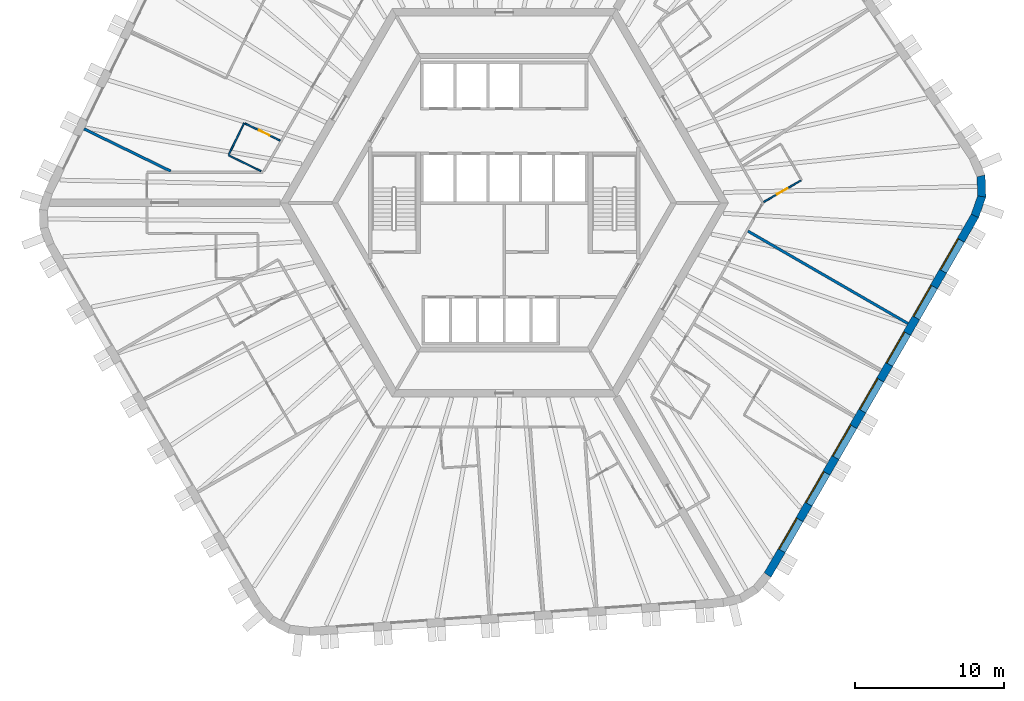
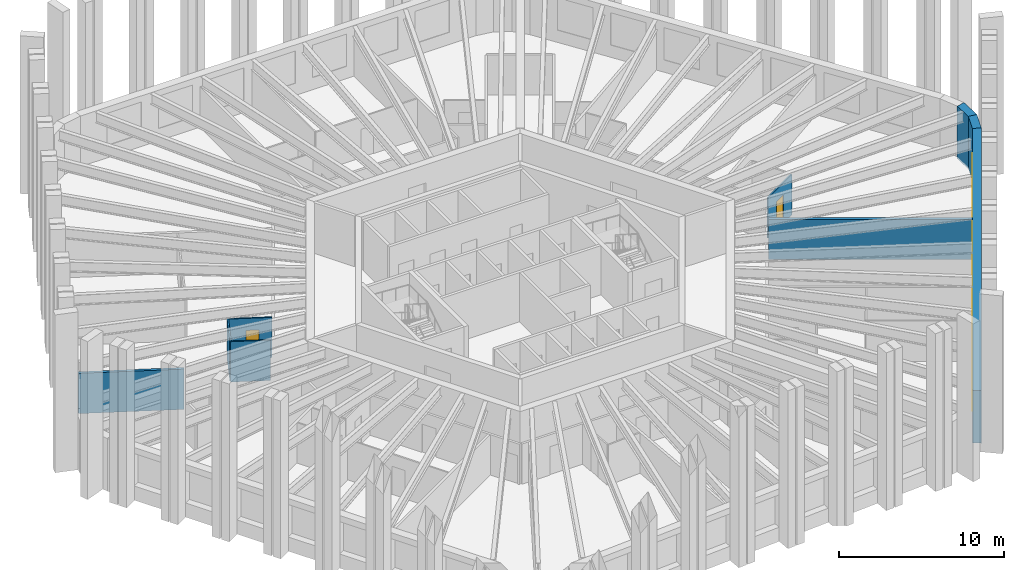
# One storey, part 6 of 10: 9 walls, 7 windows, 2 doors, 9 openings.
"""IFC4 building model written with IfcOpenShell, lengths in metres."""

from ifc_helpers import new_model, si_unit, direction, frame, frame_2d, origin, place, context, subcontext, project, spatial, polyline, rectangle, outline, extrude, material, layer, layer_set, type_object, element, fill, save


model = new_model("IFC4")

# Units and contexts
model_context = context("Model", 3, precision=1e-05, world=origin(), true_north=direction((0.0, 1.0)))
body_context = subcontext(model_context, "Body", "Model", "MODEL_VIEW")
ifc_project = project(units=[si_unit("LENGTHUNIT", "METRE"), si_unit("AREAUNIT", "SQUARE_METRE"), si_unit("VOLUMEUNIT", "CUBIC_METRE"), si_unit("PLANEANGLEUNIT", "RADIAN"), si_unit("MASSUNIT", "GRAM", prefix="KILO")], contexts=[model_context])

# Site, building, storey
site_placement = place(None, origin())
site = spatial("IfcSite", under=ifc_project, at=site_placement, CompositionType="ELEMENT")
building_placement = place(site_placement, origin())
building = spatial("IfcBuilding", under=site, at=building_placement, Name="Tarnside Tower", CompositionType="ELEMENT")
storey_placement = place(building_placement, frame((0.0, 0.0, 195.60009765625)))
storey = spatial("IfcBuildingStorey", under=building, at=storey_placement, Name="L46", CompositionType="ELEMENT", Elevation=195.60009765625)

# Walls
ifc_material_1 = material(Name="Gypsum board partition on steel studs", Category="steel")
ifc_layer_1 = layer(ifc_material_1, 0.10009765625)
ifc_layer_set_1 = layer_set([ifc_layer_1], Name="Bathroom wall 100")
wall_type_1 = type_object("IfcWallType", Name="Bathroom wall 100", PredefinedType="PARTITIONING", material=ifc_layer_set_1)
wall_1_placement = place(storey_placement, frame((-16.290771484375, 2.125, 0.0), z_axis=(0.0, 0.0, 1.0), x_axis=(-0.898785911157, 0.438387825909, 0.0)))
element("IfcWall", 1, at=wall_1_placement, inside=storey, type_object=wall_type_1, Name="Bathroom wall 15065", PredefinedType="PARTITIONING", context=body_context, shape_type="SweptSolid", body=[
    extrude(rectangle(XDim=2.41796875, YDim=0.10009765625, at=frame_2d((1.208984375, 0.0))), origin(), (0.0, 0.0, 1.0), 2.98779296875),
])
wall_2_placement = place(storey_placement, frame((-18.442138671875, 3.22998046875, 0.0), z_axis=(0.0, 0.0, 1.0), x_axis=(0.438339704034, 0.898809381275, 0.0)))
element("IfcWall", 2, at=wall_2_placement, inside=storey, type_object=wall_type_1, Name="Bathroom wall 15066", PredefinedType="PARTITIONING", context=body_context, shape_type="SweptSolid", body=[
    extrude(rectangle(XDim=2.349853515625, YDim=0.10009765625, at=frame_2d((1.1748046875, 0.0))), origin(), (0.0, 0.0, 1.0), 2.98779296875),
])

# Wall, opening, door
wall_3_placement = place(storey_placement, frame((-17.3671875, 5.3203125, 0.0), z_axis=(0.0, 0.0, 1.0), x_axis=(0.898798752769, -0.438361496965, 0.0)))
wall_3 = element("IfcWall", 3, at=wall_3_placement, inside=storey, type_object=wall_type_1, Name="Bathroom wall 15067", PredefinedType="PARTITIONING", context=body_context, shape_type="SweptSolid", body=[
    extrude(rectangle(XDim=2.632080078125, YDim=0.10009765625, at=frame_2d((1.31591796875, 0.0))), origin(), (0.0, 0.0, 1.0), 2.98779296875),
])
opening_1_placement = place(wall_3_placement, frame((1.050048828125, 0.0, 0.0)))
opening_1 = element("IfcOpeningElement", 4, at=opening_1_placement, cuts=wall_3, Name="Opening D-B1", PredefinedType="OPENING", context=body_context, shape_type="SweptSolid", body=[
    extrude(rectangle(XDim=0.800048828125, YDim=2.10009765625, at=frame_2d((0.39990234375, 1.050048828125))), frame((0.0, 0.06005859375, 0.0), z_axis=(0.0, -1.0, 0.0), x_axis=(1.0, 0.0, 0.0)), (0.0, 0.0, 1.0), 0.1201171875),
])
ifc_material_2 = material(Name="Timber door leaf", Category="wood")
door_type = type_object("IfcDoorType", Name="Bathroom door 800", OperationType="NOTDEFINED", PredefinedType="DOOR", material=ifc_material_2)
door_1_placement = place(opening_1_placement, origin())
door_1 = element("IfcDoor", 5, at=door_1_placement, inside=storey, type_object=door_type, Name="Bathroom door 15009", OperationType="SINGLE_SWING_LEFT", OverallHeight=2.10009765625, OverallWidth=0.800048828125, PredefinedType="DOOR", context=body_context, shape_type="SweptSolid", body=[
    extrude(rectangle(XDim=0.800048828125, YDim=2.10009765625, at=frame_2d((0.39990234375, 1.050048828125))), frame((0.0, 0.02490234375, 0.0), z_axis=(0.0, -1.0, 0.0), x_axis=(1.0, 0.0, 0.0)), (0.0, 0.0, 1.0), 0.050048828125),
])
fill(opening_1, door_1)

wall_4_placement = place(storey_placement, frame((19.862548828125, 1.496826171875, 0.0), z_axis=(0.0, 0.0, 1.0), x_axis=(-0.866018712932, -0.500011588718, 0.0)))
wall_4 = element("IfcWall", 6, at=wall_4_placement, inside=storey, type_object=wall_type_1, Name="Bathroom wall 15105", PredefinedType="PARTITIONING", context=body_context, shape_type="SweptSolid", body=[
    extrude(rectangle(XDim=2.875, YDim=0.10009765625, at=frame_2d((1.4375, 0.0))), origin(), (0.0, 0.0, 1.0), 2.98779296875),
])
opening_2_placement = place(wall_4_placement, frame((1.050048828125, 0.0, 0.0)))
opening_2 = element("IfcOpeningElement", 7, at=opening_2_placement, cuts=wall_4, Name="Opening D-B1", PredefinedType="OPENING", context=body_context, shape_type="SweptSolid", body=[
    extrude(rectangle(XDim=0.800048828125, YDim=2.10009765625, at=frame_2d((0.39990234375, 1.050048828125))), frame((0.0, 0.06005859375, 0.0), z_axis=(0.0, -1.0, 0.0), x_axis=(1.0, 0.0, 0.0)), (0.0, 0.0, 1.0), 0.1201171875),
])
door_2_placement = place(opening_2_placement, origin())
door_2 = element("IfcDoor", 8, at=door_2_placement, inside=storey, type_object=door_type, Name="Bathroom door 15031", OperationType="SINGLE_SWING_RIGHT", OverallHeight=2.10009765625, OverallWidth=0.800048828125, PredefinedType="DOOR", context=body_context, shape_type="SweptSolid", body=[
    extrude(rectangle(XDim=0.800048828125, YDim=2.10009765625, at=frame_2d((0.39990234375, 1.050048828125))), frame((0.0, 0.02490234375, 0.0), z_axis=(0.0, -1.0, 0.0), x_axis=(1.0, 0.0, 0.0)), (0.0, 0.0, 1.0), 0.050048828125),
])
fill(opening_2, door_2)

# Walls
ifc_layer_2 = layer(ifc_material_1, 0.179931640625)
ifc_layer_set_2 = layer_set([ifc_layer_2], Name="Demising wall 180 EI 60")
wall_type_2 = type_object("IfcWallType", Name="Demising wall 180 EI 60", PredefinedType="PARTITIONING", material=ifc_layer_set_2)
wall_5_placement = place(storey_placement, frame((-28.127197265625, 4.948974609375, 0.0), z_axis=(0.0, 0.0, 1.0), x_axis=(0.898795032868, -0.438369124017, 0.0)))
element("IfcWall", 9, at=wall_5_placement, inside=storey, type_object=wall_type_2, Name="Demising wall 15070", PredefinedType="PARTITIONING", context=body_context, shape_type="SweptSolid", body=[
    extrude(rectangle(XDim=6.44189453125, YDim=0.179931640625, at=frame_2d((3.220947265625, 0.0))), origin(), (0.0, 0.0, 1.0), 2.98779296875),
])
wall_6_placement = place(storey_placement, frame((27.03125, -8.080322265625, 0.0), z_axis=(0.0, 0.0, 1.0), x_axis=(-0.866024931941, 0.500000817256, 0.0)))
element("IfcWall", 10, at=wall_6_placement, inside=storey, type_object=wall_type_2, Name="Demising wall 15102", PredefinedType="PARTITIONING", context=body_context, shape_type="SweptSolid", body=[
    extrude(rectangle(XDim=12.375, YDim=0.179931640625, at=frame_2d((6.1875, 0.0))), origin(), (0.0, 0.0, 1.0), 2.98779296875),
])

# Wall, openings, windows
ifc_material_3 = material(Name="Facing brick", Category="masonry")
ifc_layer_3 = layer(ifc_material_3, 0.10205078125)
ifc_material_4 = material(Name="Concrete C60/75 precast", Category="concrete")
ifc_layer_4 = layer(ifc_material_4, 0.347900390625)
ifc_material_5 = material(Name="Mineral wool insulation")
ifc_layer_5 = layer(ifc_material_5, 0.10009765625)
ifc_layer_set_3 = layer_set([ifc_layer_3, ifc_layer_4, ifc_layer_5], Name="Tube wall 550 brick faced")
wall_type_3 = type_object("IfcWallType", Name="Tube wall 550 brick faced", PredefinedType="SOLIDWALL", material=ifc_layer_set_3)
wall_7_placement = place(storey_placement, frame((17.630126953125, -24.913818359375, -0.150146484375), z_axis=(0.0, 0.0, 1.0), x_axis=(0.499998569178, 0.866026229868, 0.0)))
wall_7 = element("IfcWall", 11, at=wall_7_placement, inside=storey, type_object=wall_type_3, Name="Tube wall L46 F5 flush 16", PredefinedType="SOLIDWALL", context=body_context, shape_type="SweptSolid", body=[
    extrude(outline(polyline([(-0.0224609375, -0.27490234375), (27.783447265625, -0.27490234375), (27.732177734375, 0.27490234375), (0.0224609375, 0.27490234375), (-0.0224609375, -0.27490234375)])), origin(), (0.0, 0.0, 1.0), 3.900146484375),
])
opening_3_placement = place(wall_7_placement, frame((1.87890625, 0.0, 1.050048828125)))
opening_3 = element("IfcOpeningElement", 12, at=opening_3_placement, cuts=wall_7, Name="Opening WH", PredefinedType="OPENING", context=body_context, shape_type="SweptSolid", body=[
    extrude(rectangle(XDim=2.39990234375, YDim=2.39990234375, at=frame_2d((1.199951171875, 1.199951171875))), frame((0.0, 0.28515625, 0.0), z_axis=(0.0, -1.0, 0.0), x_axis=(1.0, 0.0, 0.0)), (0.0, 0.0, 1.0), 0.570068359375),
])
opening_4_placement = place(wall_7_placement, frame((5.47900390625, 0.0, 1.050048828125)))
opening_4 = element("IfcOpeningElement", 13, at=opening_4_placement, cuts=wall_7, Name="Opening WH", PredefinedType="OPENING", context=body_context, shape_type="SweptSolid", body=[
    extrude(rectangle(XDim=2.39990234375, YDim=2.39990234375, at=frame_2d((1.199951171875, 1.199951171875))), frame((0.0, 0.28515625, 0.0), z_axis=(0.0, -1.0, 0.0), x_axis=(1.0, 0.0, 0.0)), (0.0, 0.0, 1.0), 0.570068359375),
])
opening_5_placement = place(wall_7_placement, frame((9.078857421875, 0.0, 1.050048828125)))
opening_5 = element("IfcOpeningElement", 14, at=opening_5_placement, cuts=wall_7, Name="Opening WH", PredefinedType="OPENING", context=body_context, shape_type="SweptSolid", body=[
    extrude(rectangle(XDim=2.39990234375, YDim=2.39990234375, at=frame_2d((1.199951171875, 1.199951171875))), frame((0.0, 0.28515625, 0.0), z_axis=(0.0, -1.0, 0.0), x_axis=(1.0, 0.0, 0.0)), (0.0, 0.0, 1.0), 0.570068359375),
])
opening_6_placement = place(wall_7_placement, frame((12.678955078125, 0.0, 1.050048828125)))
opening_6 = element("IfcOpeningElement", 15, at=opening_6_placement, cuts=wall_7, Name="Opening WH", PredefinedType="OPENING", context=body_context, shape_type="SweptSolid", body=[
    extrude(rectangle(XDim=2.39990234375, YDim=2.39990234375, at=frame_2d((1.199951171875, 1.199951171875))), frame((0.0, 0.28515625, 0.0), z_axis=(0.0, -1.0, 0.0), x_axis=(1.0, 0.0, 0.0)), (0.0, 0.0, 1.0), 0.570068359375),
])
opening_7_placement = place(wall_7_placement, frame((16.27880859375, 0.0, 1.050048828125)))
opening_7 = element("IfcOpeningElement", 16, at=opening_7_placement, cuts=wall_7, Name="Opening WH", PredefinedType="OPENING", context=body_context, shape_type="SweptSolid", body=[
    extrude(rectangle(XDim=2.39990234375, YDim=2.39990234375, at=frame_2d((1.199951171875, 1.199951171875))), frame((0.0, 0.28515625, 0.0), z_axis=(0.0, -1.0, 0.0), x_axis=(1.0, 0.0, 0.0)), (0.0, 0.0, 1.0), 0.570068359375),
])
opening_8_placement = place(wall_7_placement, frame((19.87890625, 0.0, 1.050048828125)))
opening_8 = element("IfcOpeningElement", 17, at=opening_8_placement, cuts=wall_7, Name="Opening WH", PredefinedType="OPENING", context=body_context, shape_type="SweptSolid", body=[
    extrude(rectangle(XDim=2.39990234375, YDim=2.39990234375, at=frame_2d((1.199951171875, 1.199951171875))), frame((0.0, 0.28515625, 0.0), z_axis=(0.0, -1.0, 0.0), x_axis=(1.0, 0.0, 0.0)), (0.0, 0.0, 1.0), 0.570068359375),
])
opening_9_placement = place(wall_7_placement, frame((23.47900390625, 0.0, 1.050048828125)))
opening_9 = element("IfcOpeningElement", 18, at=opening_9_placement, cuts=wall_7, Name="Opening WH", PredefinedType="OPENING", context=body_context, shape_type="SweptSolid", body=[
    extrude(rectangle(XDim=2.39990234375, YDim=2.39990234375, at=frame_2d((1.199951171875, 1.199951171875))), frame((0.0, 0.28515625, 0.0), z_axis=(0.0, -1.0, 0.0), x_axis=(1.0, 0.0, 0.0)), (0.0, 0.0, 1.0), 0.570068359375),
])
ifc_material_6 = material(Name="Aluminium-framed double glazing", Category="aluminium")
window_type = type_object("IfcWindowType", Name="Hotel window 2400 x 2400", PartitioningType="DOUBLE_PANEL_VERTICAL", PredefinedType="WINDOW", material=ifc_material_6)
window_1_placement = place(opening_3_placement, frame((0.0, 0.205078125, 0.0)))
window_1 = element("IfcWindow", 19, at=window_1_placement, inside=storey, type_object=window_type, Name="E.WN.L46.F5.00", OverallHeight=2.39990234375, OverallWidth=2.39990234375, PartitioningType="DOUBLE_PANEL_VERTICAL", PredefinedType="WINDOW", context=body_context, shape_type="SweptSolid", body=[
    extrude(rectangle(XDim=2.39990234375, YDim=2.39990234375, at=frame_2d((1.199951171875, 1.199951171875))), frame((0.0, 0.030029296875, 0.0), z_axis=(0.0, -1.0, 0.0), x_axis=(1.0, 0.0, 0.0)), (0.0, 0.0, 1.0), 0.06005859375),
])
fill(opening_3, window_1)
window_2_placement = place(opening_4_placement, frame((0.0, 0.205078125, 0.0)))
window_2 = element("IfcWindow", 20, at=window_2_placement, inside=storey, type_object=window_type, Name="E.WN.L46.F5.01", OverallHeight=2.39990234375, OverallWidth=2.39990234375, PartitioningType="DOUBLE_PANEL_VERTICAL", PredefinedType="WINDOW", context=body_context, shape_type="SweptSolid", body=[
    extrude(rectangle(XDim=2.39990234375, YDim=2.39990234375, at=frame_2d((1.199951171875, 1.199951171875))), frame((0.0, 0.030029296875, 0.0), z_axis=(0.0, -1.0, 0.0), x_axis=(1.0, 0.0, 0.0)), (0.0, 0.0, 1.0), 0.06005859375),
])
fill(opening_4, window_2)
window_3_placement = place(opening_5_placement, frame((0.0, 0.205078125, 0.0)))
window_3 = element("IfcWindow", 21, at=window_3_placement, inside=storey, type_object=window_type, Name="E.WN.L46.F5.02", OverallHeight=2.39990234375, OverallWidth=2.39990234375, PartitioningType="DOUBLE_PANEL_VERTICAL", PredefinedType="WINDOW", context=body_context, shape_type="SweptSolid", body=[
    extrude(rectangle(XDim=2.39990234375, YDim=2.39990234375, at=frame_2d((1.199951171875, 1.199951171875))), frame((0.0, 0.030029296875, 0.0), z_axis=(0.0, -1.0, 0.0), x_axis=(1.0, 0.0, 0.0)), (0.0, 0.0, 1.0), 0.06005859375),
])
fill(opening_5, window_3)
window_4_placement = place(opening_6_placement, frame((0.0, 0.205078125, 0.0)))
window_4 = element("IfcWindow", 22, at=window_4_placement, inside=storey, type_object=window_type, Name="E.WN.L46.F5.03", OverallHeight=2.39990234375, OverallWidth=2.39990234375, PartitioningType="DOUBLE_PANEL_VERTICAL", PredefinedType="WINDOW", context=body_context, shape_type="SweptSolid", body=[
    extrude(rectangle(XDim=2.39990234375, YDim=2.39990234375, at=frame_2d((1.199951171875, 1.199951171875))), frame((0.0, 0.030029296875, 0.0), z_axis=(0.0, -1.0, 0.0), x_axis=(1.0, 0.0, 0.0)), (0.0, 0.0, 1.0), 0.06005859375),
])
fill(opening_6, window_4)
window_5_placement = place(opening_7_placement, frame((0.0, 0.205078125, 0.0)))
window_5 = element("IfcWindow", 23, at=window_5_placement, inside=storey, type_object=window_type, Name="E.WN.L46.F5.04", OverallHeight=2.39990234375, OverallWidth=2.39990234375, PartitioningType="DOUBLE_PANEL_VERTICAL", PredefinedType="WINDOW", context=body_context, shape_type="SweptSolid", body=[
    extrude(rectangle(XDim=2.39990234375, YDim=2.39990234375, at=frame_2d((1.199951171875, 1.199951171875))), frame((0.0, 0.030029296875, 0.0), z_axis=(0.0, -1.0, 0.0), x_axis=(1.0, 0.0, 0.0)), (0.0, 0.0, 1.0), 0.06005859375),
])
fill(opening_7, window_5)
window_6_placement = place(opening_8_placement, frame((0.0, 0.205078125, 0.0)))
window_6 = element("IfcWindow", 24, at=window_6_placement, inside=storey, type_object=window_type, Name="E.WN.L46.F5.05", OverallHeight=2.39990234375, OverallWidth=2.39990234375, PartitioningType="DOUBLE_PANEL_VERTICAL", PredefinedType="WINDOW", context=body_context, shape_type="SweptSolid", body=[
    extrude(rectangle(XDim=2.39990234375, YDim=2.39990234375, at=frame_2d((1.199951171875, 1.199951171875))), frame((0.0, 0.030029296875, 0.0), z_axis=(0.0, -1.0, 0.0), x_axis=(1.0, 0.0, 0.0)), (0.0, 0.0, 1.0), 0.06005859375),
])
fill(opening_8, window_6)
window_7_placement = place(opening_9_placement, frame((0.0, 0.205078125, 0.0)))
window_7 = element("IfcWindow", 25, at=window_7_placement, inside=storey, type_object=window_type, Name="E.WN.L46.F5.06", OverallHeight=2.39990234375, OverallWidth=2.39990234375, PartitioningType="DOUBLE_PANEL_VERTICAL", PredefinedType="WINDOW", context=body_context, shape_type="SweptSolid", body=[
    extrude(rectangle(XDim=2.39990234375, YDim=2.39990234375, at=frame_2d((1.199951171875, 1.199951171875))), frame((0.0, 0.030029296875, 0.0), z_axis=(0.0, -1.0, 0.0), x_axis=(1.0, 0.0, 0.0)), (0.0, 0.0, 1.0), 0.06005859375),
])
fill(opening_9, window_7)

# Walls
wall_8_placement = place(storey_placement, frame((31.509033203125, -0.874755859375, -0.150146484375), z_axis=(0.0, 0.0, 1.0), x_axis=(0.33111537203, 0.943590276765, 0.0)))
element("IfcWall", 26, at=wall_8_placement, inside=storey, type_object=wall_type_3, Name="Tube wall L46 F5 chord 17", PredefinedType="SOLIDWALL", context=body_context, shape_type="SweptSolid", body=[
    extrude(outline(polyline([(-0.025634765625, -0.27490234375), (1.4306640625, -0.27490234375), (1.3271484375, 0.27490234375), (0.025634765625, 0.27490234375), (-0.025634765625, -0.27490234375)])), origin(), (0.0, 0.0, 1.0), 3.900146484375),
])
wall_9_placement = place(storey_placement, frame((31.965576171875, 0.42626953125, -0.150146484375), z_axis=(0.0, 0.0, 1.0), x_axis=(-0.034876908462, 0.999391615562, 0.0)))
element("IfcWall", 27, at=wall_9_placement, inside=storey, type_object=wall_type_3, Name="Tube wall L46 F5 chord 18", PredefinedType="SOLIDWALL", context=body_context, shape_type="SweptSolid", body=[
    extrude(outline(polyline([(-0.0517578125, -0.27490234375), (1.4306640625, -0.27490234375), (1.3271484375, 0.27490234375), (0.0517578125, 0.27490234375), (-0.0517578125, -0.27490234375)])), origin(), (0.0, 0.0, 1.0), 3.900146484375),
])

save(model, "model.ifc")
